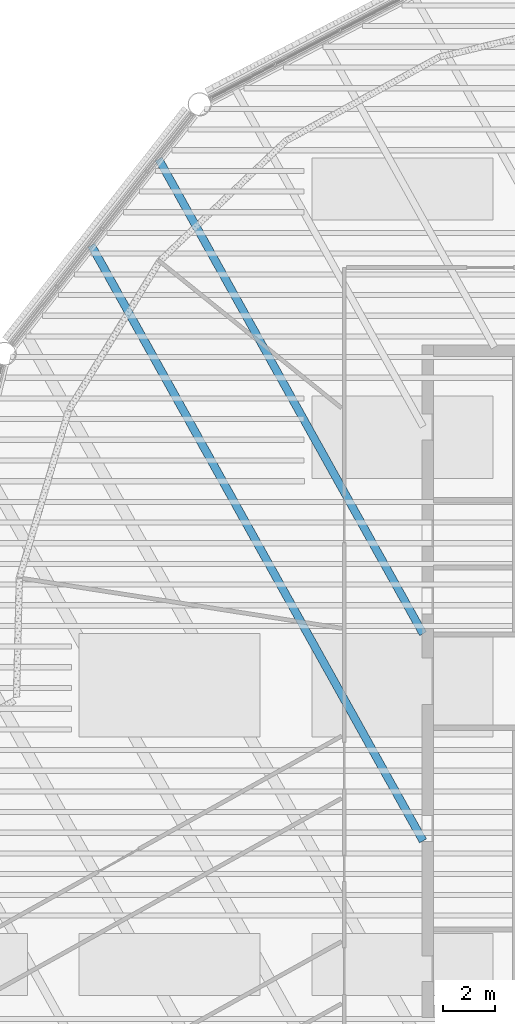
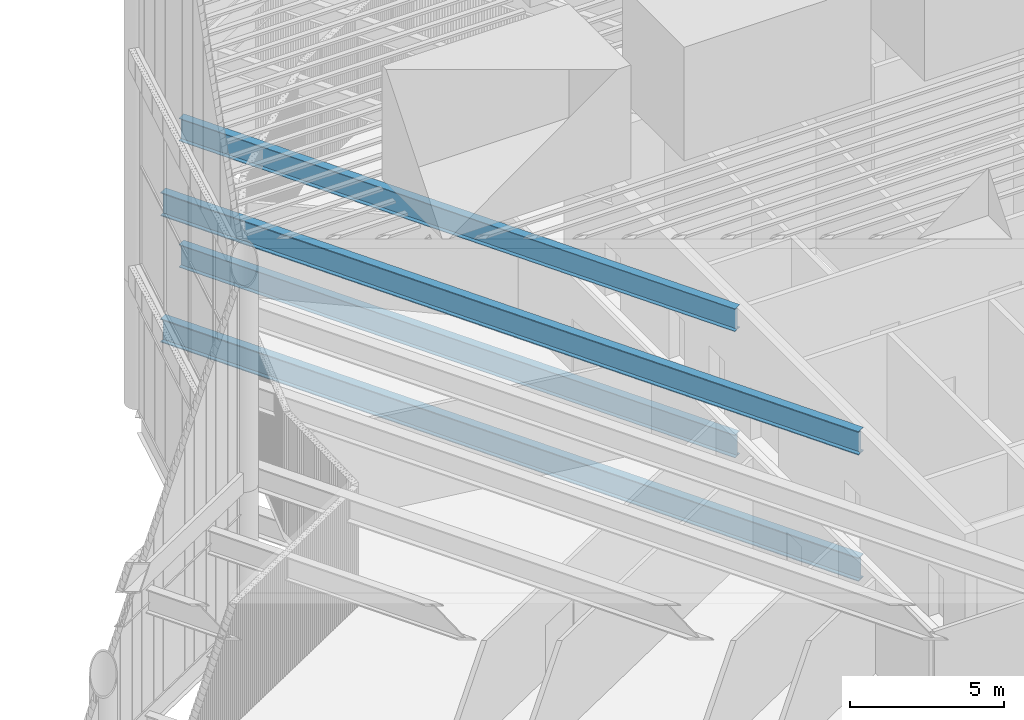
# One storey, part 42 of 117: 4 beams.
"""IFC4 building model written with IfcOpenShell, lengths in metres."""

from ifc_helpers import new_model, si_unit, direction, frame, origin, origin_2d, place, context, subcontext, project, spatial, i_section, extrude, material, material_profile, profile_set, type_object, element, save


model = new_model("IFC4")

# Units and contexts
model_context = context("Model", 3, precision=1e-05, world=origin(), true_north=direction((0.0, 1.0)))
body_context = subcontext(model_context, "Body", "Model", "MODEL_VIEW")
ifc_project = project(units=[si_unit("LENGTHUNIT", "METRE"), si_unit("AREAUNIT", "SQUARE_METRE"), si_unit("VOLUMEUNIT", "CUBIC_METRE"), si_unit("PLANEANGLEUNIT", "RADIAN"), si_unit("MASSUNIT", "GRAM", prefix="KILO")], contexts=[model_context])

# Site, building, storey
site_placement = place(None, origin())
site = spatial("IfcSite", under=ifc_project, at=site_placement, CompositionType="ELEMENT")
building_placement = place(site_placement, origin())
building = spatial("IfcBuilding", under=site, at=building_placement, Name="Tarsis Ring Headquarters", CompositionType="ELEMENT")
storey_placement = place(building_placement, frame((0.0, 0.0, 403.60009765625)))
storey = spatial("IfcBuildingStorey", under=building, at=storey_placement, Name="L95", CompositionType="ELEMENT", Elevation=403.60009765625)

# Beams
ifc_material = material(Name="Structural steel S355", Category="steel")
ifc_material_profile_1 = material_profile(ifc_material, i_section(OverallWidth=0.3046875, OverallDepth=0.904296875, WebThickness=0.01513671875, FlangeThickness=0.02001953125, at=origin_2d()), Name="W36x135")
ifc_profile_set_1 = profile_set([ifc_material_profile_1], Name="Structural steel S355")
beam_type_1 = type_object("IfcBeamType", Name="FB Floor beam W36x135", PredefinedType="JOIST", material=ifc_profile_set_1)
for number, where, z_axis, x_axis, name in (
    (1, (-20.17822265625, 20.195068359375, -0.752197265625), (0.486639845486, -0.873602690464, 0.0), (0.873602690464, 0.486639845486, 0.0), "Floor beam FB8"),
    (2, (-20.17822265625, 20.195068359375, 4.247802734375), (0.486639845486, -0.873602690464, 0.0), (0.873602690464, 0.486639845486, 0.0), "Floor beam FB8"),
):
    element("IfcBeam", number, at=place(storey_placement, frame(where, z_axis=z_axis, x_axis=x_axis)), inside=storey, type_object=beam_type_1, Name=name, PredefinedType="JOIST", context=body_context, shape_type="SweptSolid", body=[
        extrude(i_section(OverallWidth=0.3046875, OverallDepth=0.904296875, WebThickness=0.01513671875, FlangeThickness=0.02001953125, at=origin_2d()), origin(), (0.0, 0.0, 1.0), 21.01513671875),
    ])
ifc_material_profile_2 = material_profile(ifc_material, i_section(OverallWidth=0.309814453125, OverallDepth=0.93212890625, WebThickness=0.02099609375, FlangeThickness=0.034423828125, at=origin_2d()), Name="W36x210")
ifc_profile_set_2 = profile_set([ifc_material_profile_2], Name="Structural steel S355")
beam_type_2 = type_object("IfcBeamType", Name="FB Floor beam W36x210", PredefinedType="JOIST", material=ifc_profile_set_2)
for number, where, z_axis, x_axis, name in (
    (3, (-22.78515625, 16.86083984375, -0.76611328125), (0.486639282043, -0.873603004329, 0.0), (0.873603004329, 0.486639282043, 0.0), "Floor beam FB10"),
    (4, (-22.78515625, 16.86083984375, 4.23388671875), (0.486639282043, -0.873603004329, 0.0), (0.873603004329, 0.486639282043, 0.0), "Floor beam FB10"),
):
    element("IfcBeam", number, at=place(storey_placement, frame(where, z_axis=z_axis, x_axis=x_axis)), inside=storey, type_object=beam_type_2, Name=name, PredefinedType="JOIST", context=body_context, shape_type="SweptSolid", body=[
        extrude(i_section(OverallWidth=0.309814453125, OverallDepth=0.93212890625, WebThickness=0.02099609375, FlangeThickness=0.034423828125, at=origin_2d()), origin(), (0.0, 0.0, 1.0), 26.3720703125),
    ])

save(model, "model.ifc")
